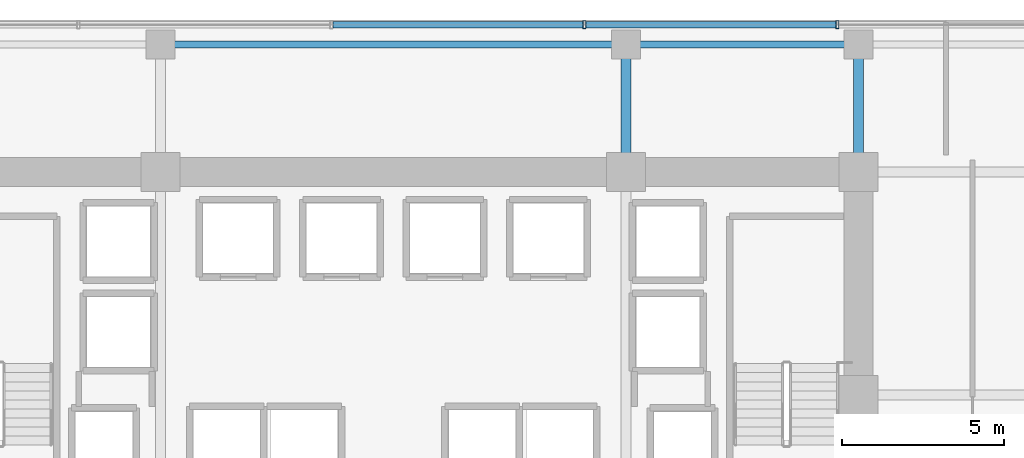
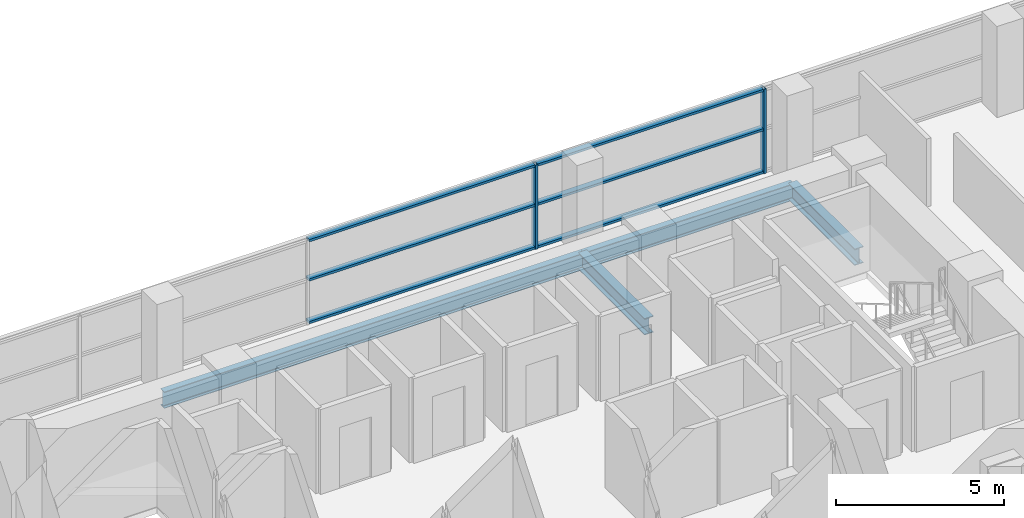
# One storey, part 20 of 31: 8 members, 4 beams, 1 element without a shape of its own.
"""IFC4 building model written with IfcOpenShell, lengths in metres."""

from ifc_helpers import new_model, si_unit, direction, frame, origin, origin_2d, place, context, subcontext, project, spatial, hollow_rectangle, i_section, extrude, source, transform, mapped, material, layer, layer_set, material_profile, profile_set, type_object, element, aggregate, save


model = new_model("IFC4")

# Units and contexts
model_context = context("Model", 3, precision=1e-05, world=origin(), true_north=direction((0.0, 1.0)))
body_context = subcontext(model_context, "Body", "Model", "MODEL_VIEW")
ifc_project = project(units=[si_unit("LENGTHUNIT", "METRE"), si_unit("AREAUNIT", "SQUARE_METRE"), si_unit("VOLUMEUNIT", "CUBIC_METRE"), si_unit("PLANEANGLEUNIT", "RADIAN"), si_unit("MASSUNIT", "GRAM", prefix="KILO")], contexts=[model_context])

# Site, building, storey
site_placement = place(None, origin())
site = spatial("IfcSite", under=ifc_project, at=site_placement, CompositionType="ELEMENT")
building_placement = place(site_placement, origin())
building = spatial("IfcBuilding", under=site, at=building_placement, Name="Zarnakvel Exchange Tower", CompositionType="ELEMENT")
storey_placement = place(building_placement, frame((0.0, 0.0, 53.800048828125)))
storey = spatial("IfcBuildingStorey", under=building, at=storey_placement, Name="L14", CompositionType="ELEMENT", Elevation=53.800048828125)

# Beams
ifc_material_1 = material(Name="Steel S355", Category="steel")
ifc_material_profile_1 = material_profile(ifc_material_1, i_section(OverallWidth=0.300048828125, OverallDepth=0.60009765625, WebThickness=0.015380859375, FlangeThickness=0.030029296875, FilletRadius=0.027099609375, at=origin_2d()))
ifc_profile_set_1 = profile_set([ifc_material_profile_1], Name="Steel S355")
beam_type_1 = type_object("IfcBeamType", Name="G-04", PredefinedType="BEAM", material=ifc_profile_set_1)
for number, where, z_axis, x_axis, name in (
    (1, (7.199951171875, 13.5, -0.525146484375), (0.0, 1.0, 0.0), (-1.0, 0.0, 0.0), "L14 Tower N-S Frame Beam"),
    (2, (14.39990234375, 13.5, -0.525146484375), (0.0, 1.0, 0.0), (-1.0, 0.0, 0.0), "L14 Tower N-S Frame Beam"),
):
    element("IfcBeam", number, at=place(storey_placement, frame(where, z_axis=z_axis, x_axis=x_axis)), inside=storey, type_object=beam_type_1, Name=name, PredefinedType="BEAM", context=body_context, shape_type="SweptSolid", body=[
        extrude(i_section(OverallWidth=0.300048828125, OverallDepth=0.60009765625, WebThickness=0.015380859375, FlangeThickness=0.030029296875, FilletRadius=0.027099609375, at=origin_2d()), origin(), (0.0, 0.0, 1.0), 3.949951171875),
    ])
ifc_material_profile_2 = material_profile(ifc_material_1, i_section(OverallWidth=0.219970703125, OverallDepth=0.60009765625, WebThickness=0.011962890625, FlangeThickness=0.01904296875, FilletRadius=0.02392578125, at=origin_2d()))
ifc_profile_set_2 = profile_set([ifc_material_profile_2], Name="Steel S355")
beam_type_2 = type_object("IfcBeamType", Name="SP-01", PredefinedType="SPANDREL", material=ifc_profile_set_2)
beam_1_placement = place(storey_placement, frame((-7.199951171875, 17.449951171875, -0.525146484375), z_axis=(1.0, 0.0, 0.0), x_axis=(0.0, 1.0, 0.0)))
element("IfcBeam", 3, at=beam_1_placement, inside=storey, type_object=beam_type_2, Name="L14 Tower E-W Frame Beam", PredefinedType="SPANDREL", context=body_context, shape_type="SweptSolid", body=[
    extrude(i_section(OverallWidth=0.219970703125, OverallDepth=0.60009765625, WebThickness=0.011962890625, FlangeThickness=0.01904296875, FilletRadius=0.02392578125, at=origin_2d()), origin(), (0.0, 0.0, 1.0), 14.39990234375),
])
beam_2_placement = place(storey_placement, frame((7.199951171875, 17.449951171875, -0.525146484375), z_axis=(1.0, 0.0, 0.0), x_axis=(0.0, 1.0, 0.0)))
element("IfcBeam", 4, at=beam_2_placement, inside=storey, type_object=beam_type_2, Name="L14 Tower E-W Frame Beam", PredefinedType="SPANDREL", context=body_context, shape_type="SweptSolid", body=[
    extrude(i_section(OverallWidth=0.219970703125, OverallDepth=0.60009765625, WebThickness=0.011962890625, FlangeThickness=0.01904296875, FilletRadius=0.02392578125, at=origin_2d()), origin(), (0.0, 0.0, 1.0), 7.199951171875),
])

# Curtain wall, members
ifc_material_2 = material(Name="Architectural Bronze Anodised Aluminium", Category="aluminium")
ifc_layer = layer(ifc_material_2, 0.239990234375)
ifc_layer_set = layer_set([ifc_layer], Name="Architectural Bronze Anodised Aluminium")
curtain_wall_type = type_object("IfcCurtainWallType", Name="CW-02", PredefinedType="NOTDEFINED", material=ifc_layer_set)
curtain_wall_placement = place(storey_placement, origin())
curtain_wall = element("IfcCurtainWall", 5, at=curtain_wall_placement, inside=storey, type_object=curtain_wall_type, Name="L14 Curtain Wall CW-L14-N1 (CW-02)", PredefinedType="NOTDEFINED")
ifc_material_profile_3 = material_profile(ifc_material_2, hollow_rectangle(XDim=0.199951171875, YDim=0.0849609375, WallThickness=0.0048828125, at=origin_2d()))
ifc_profile_set_3 = profile_set([ifc_material_profile_3], Name="Architectural Bronze Anodised Aluminium")
member_type_1 = type_object("IfcMemberType", Name="CWT-02", PredefinedType="USERDEFINED", material=ifc_profile_set_3)
shared_shape_1 = source(origin(), body_context, "Body", "SweptSolid", [
    extrude(hollow_rectangle(XDim=0.199951171875, YDim=0.0849609375, WallThickness=0.0048828125, at=origin_2d()), origin(), (0.0, 0.0, 1.0), 7.738525390625),
])
member_1_placement = place(storey_placement, frame((5.959228515625, 18.06005859375, 0.04248046875), z_axis=(1.0, 0.0, 0.0), x_axis=(0.0, 1.0, 0.0)))
member_1 = element("IfcMember", 6, at=member_1_placement, type_object=member_type_1, Name="CW-02 transom 5.1", ObjectType="TRANSOM", PredefinedType="USERDEFINED", context=body_context, shape_type="MappedRepresentation", body=[
    mapped(shared_shape_1, transform((0.0, 0.0, 0.0), x_axis=(1.0, 0.0, 0.0), y_axis=(0.0, 1.0, 0.0), z_axis=(0.0, 0.0, 1.0), scale=1.0)),
])
member_2_placement = place(storey_placement, frame((5.959228515625, 18.06005859375, 1.588623046875), z_axis=(1.0, 0.0, 0.0), x_axis=(0.0, 1.0, 0.0)))
member_2 = element("IfcMember", 7, at=member_2_placement, type_object=member_type_1, Name="CW-02 transom 5.2", ObjectType="TRANSOM", PredefinedType="USERDEFINED", context=body_context, shape_type="MappedRepresentation", body=[
    mapped(shared_shape_1, transform((0.0, 0.0, 0.0), x_axis=(1.0, 0.0, 0.0), y_axis=(0.0, 1.0, 0.0), z_axis=(0.0, 0.0, 1.0), scale=1.0)),
])
member_3_placement = place(storey_placement, frame((5.959228515625, 18.06005859375, 3.012451171875), z_axis=(1.0, 0.0, 0.0), x_axis=(0.0, 1.0, 0.0)))
member_3 = element("IfcMember", 8, at=member_3_placement, type_object=member_type_1, Name="CW-02 transom 5.3", ObjectType="TRANSOM", PredefinedType="USERDEFINED", context=body_context, shape_type="MappedRepresentation", body=[
    mapped(shared_shape_1, transform((0.0, 0.0, 0.0), x_axis=(1.0, 0.0, 0.0), y_axis=(0.0, 1.0, 0.0), z_axis=(0.0, 0.0, 1.0), scale=1.0)),
])
shared_shape_2 = source(origin(), body_context, "Body", "SweptSolid", [
    extrude(hollow_rectangle(XDim=0.199951171875, YDim=0.0849609375, WallThickness=0.0048828125, at=origin_2d()), origin(), (0.0, 0.0, 1.0), 7.73876953125),
])
member_4_placement = place(storey_placement, frame((-1.869384765625, 18.06005859375, 0.04248046875), z_axis=(1.0, 0.0, 0.0), x_axis=(0.0, 1.0, 0.0)))
member_4 = element("IfcMember", 9, at=member_4_placement, type_object=member_type_1, Name="CW-02 transom 4.1", ObjectType="TRANSOM", PredefinedType="USERDEFINED", context=body_context, shape_type="MappedRepresentation", body=[
    mapped(shared_shape_2, transform((0.0, 0.0, 0.0), x_axis=(1.0, 0.0, 0.0), y_axis=(0.0, 1.0, 0.0), z_axis=(0.0, 0.0, 1.0), scale=1.0)),
])
member_5_placement = place(storey_placement, frame((-1.869384765625, 18.06005859375, 1.588623046875), z_axis=(1.0, 0.0, 0.0), x_axis=(0.0, 1.0, 0.0)))
member_5 = element("IfcMember", 10, at=member_5_placement, type_object=member_type_1, Name="CW-02 transom 4.2", ObjectType="TRANSOM", PredefinedType="USERDEFINED", context=body_context, shape_type="MappedRepresentation", body=[
    mapped(shared_shape_2, transform((0.0, 0.0, 0.0), x_axis=(1.0, 0.0, 0.0), y_axis=(0.0, 1.0, 0.0), z_axis=(0.0, 0.0, 1.0), scale=1.0)),
])
member_6_placement = place(storey_placement, frame((-1.869384765625, 18.06005859375, 3.012451171875), z_axis=(1.0, 0.0, 0.0), x_axis=(0.0, 1.0, 0.0)))
member_6 = element("IfcMember", 11, at=member_6_placement, type_object=member_type_1, Name="CW-02 transom 4.3", ObjectType="TRANSOM", PredefinedType="USERDEFINED", context=body_context, shape_type="MappedRepresentation", body=[
    mapped(shared_shape_2, transform((0.0, 0.0, 0.0), x_axis=(1.0, 0.0, 0.0), y_axis=(0.0, 1.0, 0.0), z_axis=(0.0, 0.0, 1.0), scale=1.0)),
])
ifc_material_profile_4 = material_profile(ifc_material_2, hollow_rectangle(XDim=0.239990234375, YDim=0.090087890625, WallThickness=0.006103515625, at=origin_2d()))
ifc_profile_set_4 = profile_set([ifc_material_profile_4], Name="Architectural Bronze Anodised Aluminium")
member_type_2 = type_object("IfcMemberType", Name="CWM-02", PredefinedType="MULLION", material=ifc_profile_set_4)
shared_shape_3 = source(origin(), body_context, "Body", "SweptSolid", [
    extrude(hollow_rectangle(XDim=0.239990234375, YDim=0.090087890625, WallThickness=0.006103515625, at=origin_2d()), origin(), (0.0, 0.0, 1.0), 3.054931640625),
])
member_7_placement = place(storey_placement, frame((5.914306640625, 18.06005859375, 0.0), z_axis=(0.0, 0.0, 1.0), x_axis=(0.0, 1.0, 0.0)))
member_7 = element("IfcMember", 12, at=member_7_placement, type_object=member_type_2, Name="CW-02 mullion 5", PredefinedType="MULLION", context=body_context, shape_type="MappedRepresentation", body=[
    mapped(shared_shape_3, transform((0.0, 0.0, 0.0), x_axis=(1.0, 0.0, 0.0), y_axis=(0.0, 1.0, 0.0), z_axis=(0.0, 0.0, 1.0), scale=1.0)),
])
member_8_placement = place(storey_placement, frame((13.742919921875, 18.06005859375, 0.0), z_axis=(0.0, 0.0, 1.0), x_axis=(0.0, 1.0, 0.0)))
member_8 = element("IfcMember", 13, at=member_8_placement, type_object=member_type_2, Name="CW-02 mullion 6", PredefinedType="MULLION", context=body_context, shape_type="MappedRepresentation", body=[
    mapped(shared_shape_3, transform((0.0, 0.0, 0.0), x_axis=(1.0, 0.0, 0.0), y_axis=(0.0, 1.0, 0.0), z_axis=(0.0, 0.0, 1.0), scale=1.0)),
])
aggregate(curtain_wall, [member_7, member_8, member_4, member_5, member_6, member_1, member_2, member_3])

save(model, "model.ifc")
